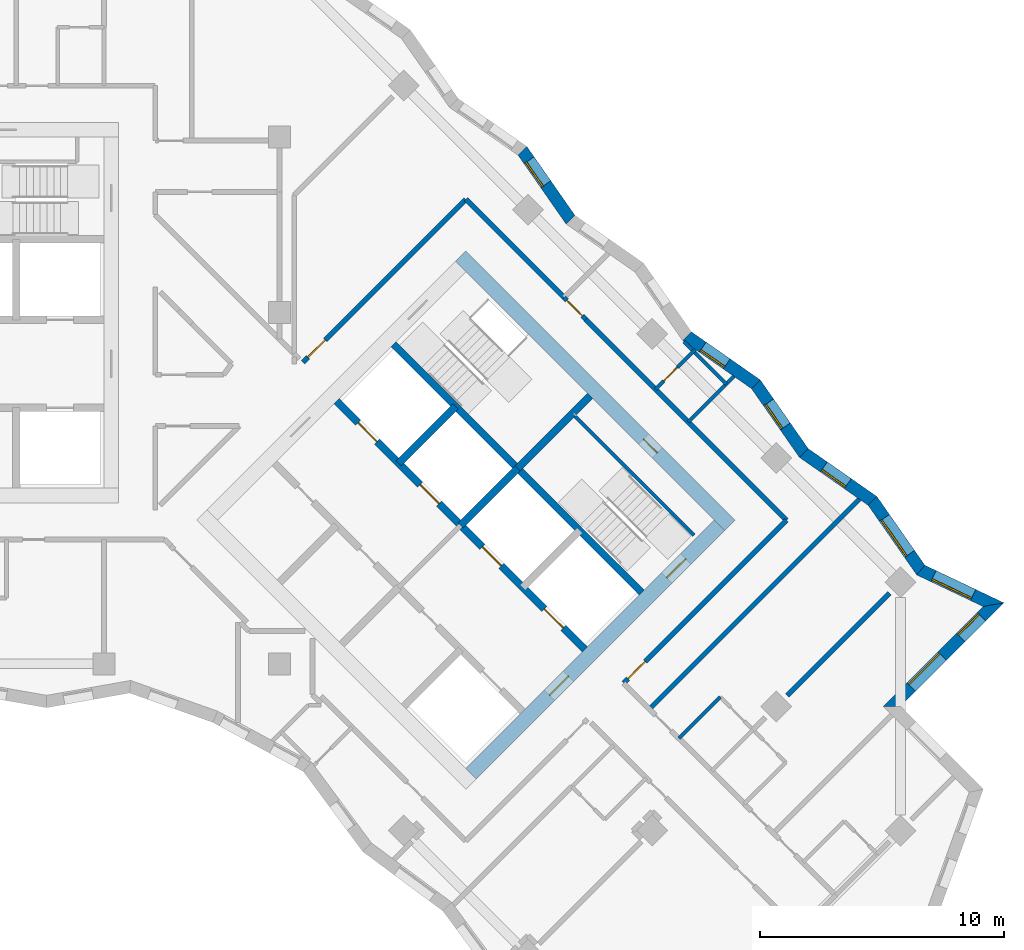
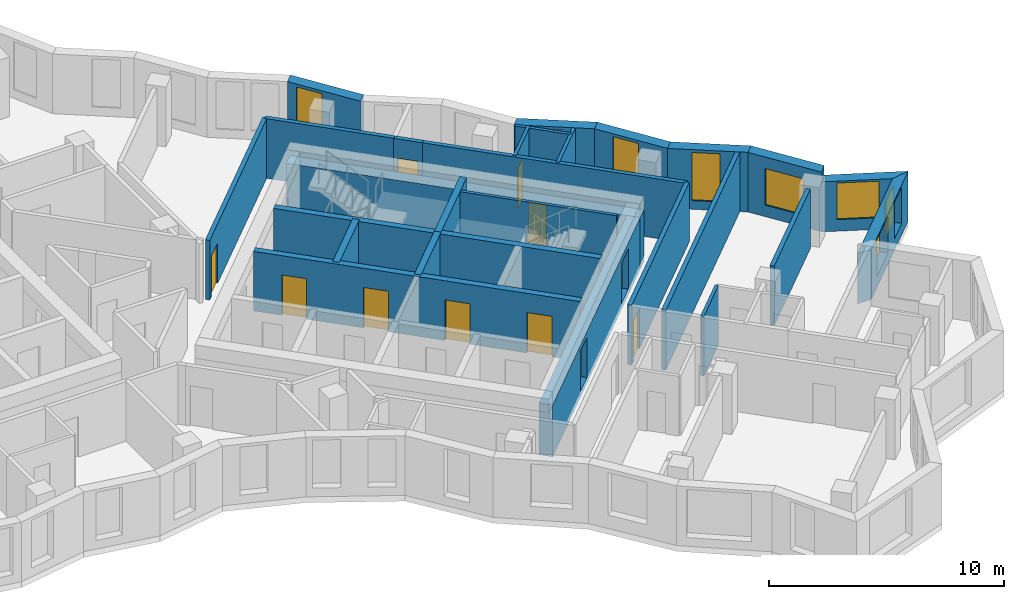
# One storey, part 9 of 12: 27 walls, 11 doors, 8 windows, 19 openings.
"""IFC4 building model written with IfcOpenShell, lengths in metres."""

from ifc_helpers import new_model, si_unit, direction, frame, frame_2d, origin, place, context, subcontext, project, spatial, polyline, rectangle, outline, extrude, material, layer, layer_set, type_object, element, fill, save


model = new_model("IFC4")

# Units and contexts
model_context = context("Model", 3, precision=1e-05, world=origin(), true_north=direction((0.0, 1.0)))
body_context = subcontext(model_context, "Body", "Model", "MODEL_VIEW")
ifc_project = project(units=[si_unit("LENGTHUNIT", "METRE"), si_unit("AREAUNIT", "SQUARE_METRE"), si_unit("VOLUMEUNIT", "CUBIC_METRE"), si_unit("PLANEANGLEUNIT", "RADIAN"), si_unit("MASSUNIT", "GRAM", prefix="KILO")], contexts=[model_context])

# Site, building, storey
site_placement = place(None, origin())
site = spatial("IfcSite", under=ifc_project, at=site_placement, CompositionType="ELEMENT")
building_placement = place(site_placement, origin())
building = spatial("IfcBuilding", under=site, at=building_placement, Name="Windrow Commons", CompositionType="ELEMENT")
storey_placement = place(building_placement, frame((0.0, 0.0, 169.4)))
storey = spatial("IfcBuildingStorey", under=building, at=storey_placement, Name="L46", CompositionType="ELEMENT", Elevation=169.4)

# Wall, openings, windows
ifc_material_1 = material(Name="Brick masonry, red clay brick", Category="masonry")
ifc_layer_1 = layer(ifc_material_1, 0.5)
ifc_layer_set_1 = layer_set([ifc_layer_1], Name="Brick facade wall 500")
wall_type_1 = type_object("IfcWallType", Name="Brick facade wall 500", PredefinedType="SOLIDWALL", material=ifc_layer_set_1)
wall_1_placement = place(storey_placement, frame((104.3022, 41.453, 0.0), z_axis=(0.0, 0.0, 1.0), x_axis=(0.7071237335, 0.7070898285, 0.0)))
wall_1 = element("IfcWall", 1, at=wall_1_placement, inside=storey, type_object=wall_type_1, Name="Brick facade wall L46 6", PredefinedType="SOLIDWALL", context=body_context, shape_type="SweptSolid", body=[
    extrude(outline(polyline([(0.25, -0.25), (6.2531, -0.25), (5.5446, 0.25), (-0.25, 0.25), (0.25, -0.25)])), origin(), (0.0, 0.0, 1.0), 2.6),
])
opening_1_placement = place(wall_1_placement, frame((1.125, 0.0, 0.6)))
opening_1 = element("IfcOpeningElement", 2, at=opening_1_placement, cuts=wall_1, Name="Opening W1L", PredefinedType="OPENING", context=body_context, shape_type="SweptSolid", body=[
    extrude(rectangle(XDim=1.8, YDim=1.9, at=frame_2d((0.9, 0.95))), frame((0.0, 0.26, 0.0), z_axis=(0.0, -1.0, 0.0), x_axis=(1.0, 0.0, 0.0)), (0.0, 0.0, 1.0), 0.52),
])
opening_2_placement = place(wall_1_placement, frame((3.9973, 0.0, 0.6)))
opening_2 = element("IfcOpeningElement", 3, at=opening_2_placement, cuts=wall_1, Name="Opening W7G", PredefinedType="OPENING", context=body_context, shape_type="SweptSolid", body=[
    extrude(rectangle(XDim=1.2, YDim=1.9, at=frame_2d((0.6, 0.95))), frame((0.0, 0.26, 0.0), z_axis=(0.0, -1.0, 0.0), x_axis=(1.0, 0.0, 0.0)), (0.0, 0.0, 1.0), 0.52),
])
ifc_material_2 = material(Name="Clear float glass in anodised aluminium frame", Category="aluminium")
window_type_1 = type_object("IfcWindowType", Name="Window W1L bedroom 1800x1900", PartitioningType="SINGLE_PANEL", PredefinedType="WINDOW", material=ifc_material_2)
window_1_placement = place(opening_1_placement, origin())
window_1 = element("IfcWindow", 4, at=window_1_placement, inside=storey, type_object=window_type_1, Name="Window L46 6.1", OverallHeight=1.9, OverallWidth=1.8, PartitioningType="SINGLE_PANEL", PredefinedType="WINDOW", context=body_context, shape_type="SweptSolid", body=[
    extrude(rectangle(XDim=1.8, YDim=1.9, at=frame_2d((0.9, 0.95))), frame((0.0, 0.18, 0.0), z_axis=(0.0, -1.0, 0.0), x_axis=(1.0, 0.0, 0.0)), (0.0, 0.0, 1.0), 0.06),
])
fill(opening_1, window_1)
ifc_material_3 = material(Name="Clear float glass in anodised aluminium frame", Category="aluminium")
window_type_2 = type_object("IfcWindowType", Name="Window W7 notch 1200x1900", PartitioningType="SINGLE_PANEL", PredefinedType="WINDOW", material=ifc_material_3)
window_2_placement = place(opening_2_placement, origin())
window_2 = element("IfcWindow", 5, at=window_2_placement, inside=storey, type_object=window_type_2, Name="Window L46 6.2", OverallHeight=1.9, OverallWidth=1.2, PartitioningType="SINGLE_PANEL", PredefinedType="WINDOW", context=body_context, shape_type="SweptSolid", body=[
    extrude(rectangle(XDim=1.2, YDim=1.9, at=frame_2d((0.6, 0.95))), frame((0.0, 0.18, 0.0), z_axis=(0.0, -1.0, 0.0), x_axis=(1.0, 0.0, 0.0)), (0.0, 0.0, 1.0), 0.06),
])
fill(opening_2, window_2)

# Wall, opening, window
wall_2_placement = place(storey_placement, frame((108.4734, 45.624, 0.0), z_axis=(0.0, 0.0, 1.0), x_axis=(-0.9031580638, 0.4293081781, 0.0)))
wall_2 = element("IfcWall", 6, at=wall_2_placement, inside=storey, type_object=wall_type_1, Name="Brick facade wall L46 7", PredefinedType="SOLIDWALL", context=body_context, shape_type="SweptSolid", body=[
    extrude(outline(polyline([(-0.3542, -0.25), (3.2362, -0.25), (3.3687, 0.25), (0.3542, 0.25), (-0.3542, -0.25)])), origin(), (0.0, 0.0, 1.0), 2.6),
])
opening_3_placement = place(wall_2_placement, frame((0.9284, 0.0, 0.6)))
opening_3 = element("IfcOpeningElement", 7, at=opening_3_placement, cuts=wall_2, Name="Opening W1L", PredefinedType="OPENING", context=body_context, shape_type="SweptSolid", body=[
    extrude(rectangle(XDim=1.8, YDim=1.9, at=frame_2d((0.9, 0.95))), frame((0.0, 0.26, 0.0), z_axis=(0.0, -1.0, 0.0), x_axis=(1.0, 0.0, 0.0)), (0.0, 0.0, 1.0), 0.52),
])
window_3_placement = place(opening_3_placement, origin())
window_3 = element("IfcWindow", 8, at=window_3_placement, inside=storey, type_object=window_type_1, Name="Window L46 7.1", OverallHeight=1.9, OverallWidth=1.8, PartitioningType="SINGLE_PANEL", PredefinedType="WINDOW", context=body_context, shape_type="SweptSolid", body=[
    extrude(rectangle(XDim=1.8, YDim=1.9, at=frame_2d((0.9, 0.95))), frame((0.0, 0.18, 0.0), z_axis=(0.0, -1.0, 0.0), x_axis=(1.0, 0.0, 0.0)), (0.0, 0.0, 1.0), 0.06),
])
fill(opening_3, window_3)

wall_3_placement = place(storey_placement, frame((105.4907, 47.0418, 0.0), z_axis=(0.0, 0.0, 1.0), x_axis=(-0.5720427166, 0.8202238295, 0.0)))
wall_3 = element("IfcWall", 9, at=wall_3_placement, inside=storey, type_object=wall_type_1, Name="Brick facade wall L46 8", PredefinedType="SOLIDWALL", context=body_context, shape_type="SweptSolid", body=[
    extrude(outline(polyline([(0.0662, -0.25), (3.5025, -0.25), (3.4134, 0.25), (-0.0662, 0.25), (0.0662, -0.25)])), origin(), (0.0, 0.0, 1.0), 3.1),
])
opening_4_placement = place(wall_3_placement, frame((0.8067, 0.0, 0.6)))
opening_4 = element("IfcOpeningElement", 10, at=opening_4_placement, cuts=wall_3, Name="Opening W1L", PredefinedType="OPENING", context=body_context, shape_type="SweptSolid", body=[
    extrude(rectangle(XDim=1.8, YDim=1.9, at=frame_2d((0.9, 0.95))), frame((0.0, 0.26, 0.0), z_axis=(0.0, -1.0, 0.0), x_axis=(1.0, 0.0, 0.0)), (0.0, 0.0, 1.0), 0.52),
])
window_4_placement = place(opening_4_placement, origin())
window_4 = element("IfcWindow", 11, at=window_4_placement, inside=storey, type_object=window_type_1, Name="Window L46 8.1", OverallHeight=1.9, OverallWidth=1.8, PartitioningType="SINGLE_PANEL", PredefinedType="WINDOW", context=body_context, shape_type="SweptSolid", body=[
    extrude(rectangle(XDim=1.8, YDim=1.9, at=frame_2d((0.9, 0.95))), frame((0.0, 0.18, 0.0), z_axis=(0.0, -1.0, 0.0), x_axis=(1.0, 0.0, 0.0)), (0.0, 0.0, 1.0), 0.06),
])
fill(opening_4, window_4)

wall_4_placement = place(storey_placement, frame((103.5126, 49.8781, 0.0), z_axis=(0.0, 0.0, 1.0), x_axis=(-0.8202219009, 0.5720454818, 0.0)))
wall_4 = element("IfcWall", 12, at=wall_4_placement, inside=storey, type_object=wall_type_1, Name="Brick facade wall L46 9", PredefinedType="SOLIDWALL", context=body_context, shape_type="SweptSolid", body=[
    extrude(outline(polyline([(-0.0446, -0.25), (3.3917, -0.25), (3.4808, 0.25), (0.0446, 0.25), (-0.0446, -0.25)])), origin(), (0.0, 0.0, 1.0), 3.1),
])
opening_5_placement = place(wall_4_placement, frame((1.2386, 0.0, 0.45)))
opening_5 = element("IfcOpeningElement", 13, at=opening_5_placement, cuts=wall_4, Name="Opening W7E", PredefinedType="OPENING", context=body_context, shape_type="SweptSolid", body=[
    extrude(rectangle(XDim=1.2, YDim=2.5, at=frame_2d((0.6, 1.25))), frame((0.0, 0.26, 0.0), z_axis=(0.0, -1.0, 0.0), x_axis=(1.0, 0.0, 0.0)), (0.0, 0.0, 1.0), 0.52),
])
ifc_material_4 = material(Name="Clear float glass in anodised aluminium frame", Category="aluminium")
window_type_3 = type_object("IfcWindowType", Name="Window W7 notch 1200x2500", PartitioningType="SINGLE_PANEL", PredefinedType="WINDOW", material=ifc_material_4)
window_5_placement = place(opening_5_placement, origin())
window_5 = element("IfcWindow", 14, at=window_5_placement, inside=storey, type_object=window_type_3, Name="Window L46 9.1", OverallHeight=2.5, OverallWidth=1.2, PartitioningType="SINGLE_PANEL", PredefinedType="WINDOW", context=body_context, shape_type="SweptSolid", body=[
    extrude(rectangle(XDim=1.2, YDim=2.5, at=frame_2d((0.6, 1.25))), frame((0.0, 0.18, 0.0), z_axis=(0.0, -1.0, 0.0), x_axis=(1.0, 0.0, 0.0)), (0.0, 0.0, 1.0), 0.06),
])
fill(opening_5, window_5)

wall_5_placement = place(storey_placement, frame((100.6941, 51.8438, 0.0), z_axis=(0.0, 0.0, 1.0), x_axis=(-0.5720454818, 0.8202219009, 0.0)))
wall_5 = element("IfcWall", 15, at=wall_5_placement, inside=storey, type_object=wall_type_1, Name="Brick facade wall L46 10", PredefinedType="SOLIDWALL", context=body_context, shape_type="SweptSolid", body=[
    extrude(outline(polyline([(0.0446, -0.25), (3.4808, -0.25), (3.3917, 0.25), (-0.0446, 0.25), (0.0446, -0.25)])), origin(), (0.0, 0.0, 1.0), 3.1),
])
opening_6_placement = place(wall_5_placement, frame((1.3266, 0.0, 0.45)))
opening_6 = element("IfcOpeningElement", 16, at=opening_6_placement, cuts=wall_5, Name="Opening W7E", PredefinedType="OPENING", context=body_context, shape_type="SweptSolid", body=[
    extrude(rectangle(XDim=1.2, YDim=2.5, at=frame_2d((0.6, 1.25))), frame((0.0, 0.26, 0.0), z_axis=(0.0, -1.0, 0.0), x_axis=(1.0, 0.0, 0.0)), (0.0, 0.0, 1.0), 0.52),
])
window_6_placement = place(opening_6_placement, origin())
window_6 = element("IfcWindow", 17, at=window_6_placement, inside=storey, type_object=window_type_3, Name="Window L46 10.1", OverallHeight=2.5, OverallWidth=1.2, PartitioningType="SINGLE_PANEL", PredefinedType="WINDOW", context=body_context, shape_type="SweptSolid", body=[
    extrude(rectangle(XDim=1.2, YDim=2.5, at=frame_2d((0.6, 1.25))), frame((0.0, 0.18, 0.0), z_axis=(0.0, -1.0, 0.0), x_axis=(1.0, 0.0, 0.0)), (0.0, 0.0, 1.0), 0.06),
])
fill(opening_6, window_6)

wall_6_placement = place(storey_placement, frame((98.7284, 54.6623, 0.0), z_axis=(0.0, 0.0, 1.0), x_axis=(-0.8202082464, 0.5720650597, 0.0)))
wall_6 = element("IfcWall", 18, at=wall_6_placement, inside=storey, type_object=wall_type_1, Name="Brick facade wall L46 11", PredefinedType="SOLIDWALL", context=body_context, shape_type="SweptSolid", body=[
    extrude(outline(polyline([(-0.0446, -0.25), (3.3917, -0.25), (3.4808, 0.25), (0.0446, 0.25), (-0.0446, -0.25)])), origin(), (0.0, 0.0, 1.0), 3.1),
])
opening_7_placement = place(wall_6_placement, frame((1.4591, 0.0, 0.45)))
opening_7 = element("IfcOpeningElement", 19, at=opening_7_placement, cuts=wall_6, Name="Opening W7E", PredefinedType="OPENING", context=body_context, shape_type="SweptSolid", body=[
    extrude(rectangle(XDim=1.2, YDim=2.5, at=frame_2d((0.6, 1.25))), frame((0.0, 0.26, 0.0), z_axis=(0.0, -1.0, 0.0), x_axis=(1.0, 0.0, 0.0)), (0.0, 0.0, 1.0), 0.52),
])
window_7_placement = place(opening_7_placement, origin())
window_7 = element("IfcWindow", 20, at=window_7_placement, inside=storey, type_object=window_type_3, Name="Window L46 11.1", OverallHeight=2.5, OverallWidth=1.2, PartitioningType="SINGLE_PANEL", PredefinedType="WINDOW", context=body_context, shape_type="SweptSolid", body=[
    extrude(rectangle(XDim=1.2, YDim=2.5, at=frame_2d((0.6, 1.25))), frame((0.0, 0.18, 0.0), z_axis=(0.0, -1.0, 0.0), x_axis=(1.0, 0.0, 0.0)), (0.0, 0.0, 1.0), 0.06),
])
fill(opening_7, window_7)

wall_7_placement = place(storey_placement, frame((91.1257, 61.4123, 0.0), z_axis=(0.0, 0.0, 1.0), x_axis=(-0.5720454818, 0.8202219009, 0.0)))
wall_7 = element("IfcWall", 21, at=wall_7_placement, inside=storey, type_object=wall_type_1, Name="Brick facade wall L46 14", PredefinedType="SOLIDWALL", context=body_context, shape_type="SweptSolid", body=[
    extrude(outline(polyline([(0.0446, -0.25), (3.4808, -0.25), (3.3917, 0.25), (-0.0446, 0.25), (0.0446, -0.25)])), origin(), (0.0, 0.0, 1.0), 3.1),
])
opening_8_placement = place(wall_7_placement, frame((1.7675, 0.0, 0.45)))
opening_8 = element("IfcOpeningElement", 22, at=opening_8_placement, cuts=wall_7, Name="Opening W7E", PredefinedType="OPENING", context=body_context, shape_type="SweptSolid", body=[
    extrude(rectangle(XDim=1.2, YDim=2.5, at=frame_2d((0.6, 1.25))), frame((0.0, 0.26, 0.0), z_axis=(0.0, -1.0, 0.0), x_axis=(1.0, 0.0, 0.0)), (0.0, 0.0, 1.0), 0.52),
])
window_8_placement = place(opening_8_placement, origin())
window_8 = element("IfcWindow", 23, at=window_8_placement, inside=storey, type_object=window_type_3, Name="Window L46 14.1", OverallHeight=2.5, OverallWidth=1.2, PartitioningType="SINGLE_PANEL", PredefinedType="WINDOW", context=body_context, shape_type="SweptSolid", body=[
    extrude(rectangle(XDim=1.2, YDim=2.5, at=frame_2d((0.6, 1.25))), frame((0.0, 0.18, 0.0), z_axis=(0.0, -1.0, 0.0), x_axis=(1.0, 0.0, 0.0)), (0.0, 0.0, 1.0), 0.06),
])
fill(opening_8, window_8)

# Wall
ifc_material_5 = material(Name="Blockwork partition", Category="masonry")
ifc_layer_2 = layer(ifc_material_5, 0.2)
ifc_layer_set_2 = layer_set([ifc_layer_2], Name="IW-CORRIDOR-200")
wall_type_2 = type_object("IfcWallType", Name="IW-CORRIDOR-200", PredefinedType="PARTITIONING", material=ifc_layer_set_2)
wall_8_placement = place(storey_placement, frame((91.7551, 57.3171, 0.0), z_axis=(0.0, 0.0, 1.0), x_axis=(0.7071067812, -0.7071067812, 0.0)))
element("IfcWall", 24, at=wall_8_placement, inside=storey, type_object=wall_type_2, Name="W-L46-W007", PredefinedType="PARTITIONING", context=body_context, shape_type="SweptSolid", body=[
    extrude(rectangle(XDim=11.639, YDim=0.2, at=frame_2d((5.8195, 0.0))), origin(), (0.0, 0.0, 1.0), 3.1),
])

# Wall, opening, door
wall_9_placement = place(storey_placement, frame((80.1536, 55.5604, 0.0), z_axis=(0.0, 0.0, 1.0), x_axis=(0.7071067812, 0.7071067812, 0.0)))
wall_9 = element("IfcWall", 25, at=wall_9_placement, inside=storey, type_object=wall_type_2, Name="W-L46-W010", PredefinedType="PARTITIONING", context=body_context, shape_type="SweptSolid", body=[
    extrude(rectangle(XDim=9.4498, YDim=0.2, at=frame_2d((4.7249, 0.0))), origin(), (0.0, 0.0, 1.0), 3.1),
])
opening_9_placement = place(wall_9_placement, frame((0.2916, 0.0, 0.0)))
opening_9 = element("IfcOpeningElement", 26, at=opening_9_placement, cuts=wall_9, Name="Opening D310F", PredefinedType="OPENING", context=body_context, shape_type="SweptSolid", body=[
    extrude(rectangle(XDim=1.0, YDim=2.1, at=frame_2d((0.5, 1.05))), frame((0.0, 0.11, 0.0), z_axis=(0.0, -1.0, 0.0), x_axis=(1.0, 0.0, 0.0)), (0.0, 0.0, 1.0), 0.22),
])
ifc_material_6 = material(Name="Timber door leaf", Category="wood")
door_type_1 = type_object("IfcDoorType", Name="DT-AMENITY-1000", OperationType="SINGLE_SWING_LEFT", PredefinedType="DOOR", material=ifc_material_6)
door_1_placement = place(opening_9_placement, origin())
door_1 = element("IfcDoor", 27, at=door_1_placement, inside=storey, type_object=door_type_1, Name="D-L46-D041", OperationType="SINGLE_SWING_LEFT", OverallHeight=2.1, OverallWidth=1.0, PredefinedType="DOOR", context=body_context, shape_type="SweptSolid", body=[
    extrude(rectangle(XDim=1.0, YDim=2.1, at=frame_2d((0.5, 1.05))), frame((0.0, 0.025, 0.0), z_axis=(0.0, -1.0, 0.0), x_axis=(1.0, 0.0, 0.0)), (0.0, 0.0, 1.0), 0.05),
])
fill(opening_9, door_1)

wall_10_placement = place(storey_placement, frame((93.3058, 42.4082, 0.0), z_axis=(0.0, 0.0, 1.0), x_axis=(0.7071067812, 0.7071067812, 0.0)))
wall_10 = element("IfcWall", 28, at=wall_10_placement, inside=storey, type_object=wall_type_2, Name="W-L46-W011", PredefinedType="PARTITIONING", context=body_context, shape_type="SweptSolid", body=[
    extrude(rectangle(XDim=9.4498, YDim=0.2, at=frame_2d((4.7249, 0.0))), origin(), (0.0, 0.0, 1.0), 3.1),
])
opening_10_placement = place(wall_10_placement, frame((0.2532, 0.0, 0.0)))
opening_10 = element("IfcOpeningElement", 29, at=opening_10_placement, cuts=wall_10, Name="Opening D310F", PredefinedType="OPENING", context=body_context, shape_type="SweptSolid", body=[
    extrude(rectangle(XDim=1.0, YDim=2.1, at=frame_2d((0.5, 1.05))), frame((0.0, 0.11, 0.0), z_axis=(0.0, -1.0, 0.0), x_axis=(1.0, 0.0, 0.0)), (0.0, 0.0, 1.0), 0.22),
])
door_2_placement = place(opening_10_placement, origin())
door_2 = element("IfcDoor", 30, at=door_2_placement, inside=storey, type_object=door_type_1, Name="D-L46-D042", OperationType="SINGLE_SWING_RIGHT", OverallHeight=2.1, OverallWidth=1.0, PredefinedType="DOOR", context=body_context, shape_type="SweptSolid", body=[
    extrude(rectangle(XDim=1.0, YDim=2.1, at=frame_2d((0.5, 1.05))), frame((0.0, 0.025, 0.0), z_axis=(0.0, -1.0, 0.0), x_axis=(1.0, 0.0, 0.0)), (0.0, 0.0, 1.0), 0.05),
])
fill(opening_10, door_2)

# Wall
wall_11_placement = place(storey_placement, frame((86.8412, 62.2452, 0.0), z_axis=(0.0, 0.0, 1.0), x_axis=(0.7071067812, -0.7071067812, 0.0)))
element("IfcWall", 31, at=wall_11_placement, inside=storey, type_object=wall_type_2, Name="W-L46-W033", PredefinedType="PARTITIONING", context=body_context, shape_type="SweptSolid", body=[
    extrude(rectangle(XDim=5.6993, YDim=0.2, at=frame_2d((2.8497, 0.0))), origin(), (0.0, 0.0, 1.0), 3.1),
])

# Wall, opening, door
wall_12_placement = place(storey_placement, frame((90.8671, 58.2111, 0.0), z_axis=(0.0, 0.0, 1.0), x_axis=(0.706312726, -0.7078999456, 0.0)))
wall_12 = element("IfcWall", 32, at=wall_12_placement, inside=storey, type_object=wall_type_2, Name="W-L46-W129", PredefinedType="PARTITIONING", context=body_context, shape_type="SweptSolid", body=[
    extrude(rectangle(XDim=1.2601, YDim=0.2, at=frame_2d((0.63, 0.0))), origin(), (0.0, 0.0, 1.0), 3.1),
])
opening_11_placement = place(wall_12_placement, frame((0.1624, 0.0, 0.0)))
opening_11 = element("IfcOpeningElement", 33, at=opening_11_placement, cuts=wall_12, Name="Opening D109S", PredefinedType="OPENING", context=body_context, shape_type="SweptSolid", body=[
    extrude(rectangle(XDim=0.9, YDim=2.1, at=frame_2d((0.45, 1.05))), frame((0.0, 0.11, 0.0), z_axis=(0.0, -1.0, 0.0), x_axis=(1.0, 0.0, 0.0)), (0.0, 0.0, 1.0), 0.22),
])
ifc_material_7 = material(Name="Timber door leaf", Category="wood")
door_type_2 = type_object("IfcDoorType", Name="DT-BEDROOM-900", OperationType="SINGLE_SWING_LEFT", PredefinedType="DOOR", material=ifc_material_7)
door_3_placement = place(opening_11_placement, origin())
door_3 = element("IfcDoor", 34, at=door_3_placement, inside=storey, type_object=door_type_2, Name="D-L46-D047", OperationType="SINGLE_SWING_RIGHT", OverallHeight=2.1, OverallWidth=0.9, PredefinedType="DOOR", context=body_context, shape_type="SweptSolid", body=[
    extrude(rectangle(XDim=0.9, YDim=2.1, at=frame_2d((0.45, 1.05))), frame((0.0, 0.025, 0.0), z_axis=(0.0, -1.0, 0.0), x_axis=(1.0, 0.0, 0.0)), (0.0, 0.0, 1.0), 0.05),
])
fill(opening_11, door_3)

# Walls
ifc_material_8 = material(Name="Blockwork partition", Category="masonry")
ifc_layer_3 = layer(ifc_material_8, 0.15)
ifc_layer_set_3 = layer_set([ifc_layer_3], Name="IW-ENSUITE-150")
wall_type_3 = type_object("IfcWallType", Name="IW-ENSUITE-150", PredefinedType="PARTITIONING", material=ifc_layer_set_3)
wall_13_placement = place(storey_placement, frame((95.9573, 53.1207, 0.0), z_axis=(0.0, 0.0, 1.0), x_axis=(0.7070878465, 0.7071257154, 0.0)))
element("IfcWall", 35, at=wall_13_placement, inside=storey, type_object=wall_type_3, Name="W-L46-W064", PredefinedType="PARTITIONING", context=body_context, shape_type="SweptSolid", body=[
    extrude(rectangle(XDim=2.6407, YDim=0.15, at=frame_2d((1.3203, 0.0))), origin(), (0.0, 0.0, 1.0), 3.1),
])
wall_14_placement = place(storey_placement, frame((95.7812, 56.4024, 0.0), z_axis=(0.0, 0.0, 1.0), x_axis=(0.7071067812, -0.7071067812, 0.0)))
element("IfcWall", 36, at=wall_14_placement, inside=storey, type_object=wall_type_3, Name="W-L46-W068", PredefinedType="PARTITIONING", context=body_context, shape_type="SweptSolid", body=[
    extrude(rectangle(XDim=2.446, YDim=0.15, at=frame_2d((1.223, 0.0))), origin(), (0.0, 0.0, 1.0), 3.1),
])
wall_15_placement = place(storey_placement, frame((95.571, 40.143, 0.0), z_axis=(0.0, 0.0, 1.0), x_axis=(0.706689978, 0.7075233388, 0.0)))
element("IfcWall", 37, at=wall_15_placement, inside=storey, type_object=wall_type_3, Name="W-L46-W093", PredefinedType="PARTITIONING", context=body_context, shape_type="SweptSolid", body=[
    extrude(rectangle(XDim=2.3999, YDim=0.15, at=frame_2d((1.2, 0.0))), origin(), (0.0, 0.0, 1.0), 3.1),
])

# Wall, opening, door
wall_16_placement = place(storey_placement, frame((94.6138, 54.4642, 0.0), z_axis=(0.0, 0.0, 1.0), x_axis=(0.7070850605, 0.7071285012, 0.0)))
wall_16 = element("IfcWall", 38, at=wall_16_placement, inside=storey, type_object=wall_type_3, Name="W-L46-W102", PredefinedType="PARTITIONING", context=body_context, shape_type="SweptSolid", body=[
    extrude(rectangle(XDim=2.302, YDim=0.15, at=frame_2d((1.151, 0.0))), origin(), (0.0, 0.0, 1.0), 3.1),
])
opening_12_placement = place(wall_16_placement, frame((0.4662, 0.0, 0.0)))
opening_12 = element("IfcOpeningElement", 39, at=opening_12_placement, cuts=wall_16, Name="Opening D208N", PredefinedType="OPENING", context=body_context, shape_type="SweptSolid", body=[
    extrude(rectangle(XDim=0.8, YDim=2.1, at=frame_2d((0.4, 1.05))), frame((0.0, 0.085, 0.0), z_axis=(0.0, -1.0, 0.0), x_axis=(1.0, 0.0, 0.0)), (0.0, 0.0, 1.0), 0.17),
])
ifc_material_9 = material(Name="Timber door leaf", Category="wood")
door_type_3 = type_object("IfcDoorType", Name="DT-ENSUITE-800", OperationType="SINGLE_SWING_LEFT", PredefinedType="DOOR", material=ifc_material_9)
door_4_placement = place(opening_12_placement, origin())
door_4 = element("IfcDoor", 40, at=door_4_placement, inside=storey, type_object=door_type_3, Name="D-L46-D048", OperationType="SINGLE_SWING_RIGHT", OverallHeight=2.1, OverallWidth=0.8, PredefinedType="DOOR", context=body_context, shape_type="SweptSolid", body=[
    extrude(rectangle(XDim=0.8, YDim=2.1, at=frame_2d((0.4, 1.05))), frame((0.0, 0.025, 0.0), z_axis=(0.0, -1.0, 0.0), x_axis=(1.0, 0.0, 0.0)), (0.0, 0.0, 1.0), 0.05),
])
fill(opening_12, door_4)

# Walls
ifc_material_10 = material(Name="Blockwork partition", Category="masonry")
ifc_layer_4 = layer(ifc_material_10, 0.2)
ifc_layer_set_4 = layer_set([ifc_layer_4], Name="IW-PARTY-200")
wall_type_4 = type_object("IfcWallType", Name="IW-PARTY-200", PredefinedType="PARTITIONING", material=ifc_layer_set_4)
wall_17_placement = place(storey_placement, frame((94.3664, 41.3476, 0.0), z_axis=(0.0, 0.0, 1.0), x_axis=(0.7071108904, 0.707102672, 0.0)))
element("IfcWall", 41, at=wall_17_placement, inside=storey, type_object=wall_type_4, Name="W-L46-W005", PredefinedType="PARTITIONING", context=body_context, shape_type="SweptSolid", body=[
    extrude(rectangle(XDim=12.1678, YDim=0.2, at=frame_2d((6.0839, 0.0))), origin(), (0.0, 0.0, 1.0), 3.1),
])
wall_18_placement = place(storey_placement, frame((100.0168, 41.9012, 0.0), z_axis=(0.0, 0.0, 1.0), x_axis=(0.7072754814, 0.7069380408, 0.0)))
element("IfcWall", 42, at=wall_18_placement, inside=storey, type_object=wall_type_4, Name="W-L46-W028", PredefinedType="PARTITIONING", context=body_context, shape_type="SweptSolid", body=[
    extrude(rectangle(XDim=5.927, YDim=0.2, at=frame_2d((2.9635, 0.0))), origin(), (0.0, 0.0, 1.0), 3.1),
])

# Wall, opening, door
ifc_material_11 = material(Name="Concrete C50/60", Category="concrete")
ifc_layer_5 = layer(ifc_material_11, 0.6)
ifc_layer_set_5 = layer_set([ifc_layer_5], Name="RC CORE WALL 600 C50/60")
wall_type_5 = type_object("IfcWallType", Name="RC CORE WALL 600 C50/60", PredefinedType="SHEAR", material=ifc_layer_set_5)
wall_19_placement = place(storey_placement, frame((86.6246, 59.9085, -0.3), z_axis=(0.0, 0.0, 1.0), x_axis=(0.7071067812, -0.7071067812, 0.0)))
wall_19 = element("IfcWall", 43, at=wall_19_placement, inside=storey, type_object=wall_type_5, Name="Core B wall outer-N", PredefinedType="SHEAR", context=body_context, shape_type="SweptSolid", body=[
    extrude(rectangle(XDim=15.6, YDim=0.6, at=frame_2d((7.8, 0.0))), origin(), (0.0, 0.0, 1.0), 2.7),
])
opening_13_placement = place(wall_19_placement, frame((10.6, 0.0, 0.3)))
opening_13 = element("IfcOpeningElement", 44, at=opening_13_placement, cuts=wall_19, Name="Opening D9", PredefinedType="OPENING", context=body_context, shape_type="SweptSolid", body=[
    extrude(rectangle(XDim=0.8, YDim=2.1, at=frame_2d((0.4, 1.05))), frame((0.0, 0.31, 0.0), z_axis=(0.0, -1.0, 0.0), x_axis=(1.0, 0.0, 0.0)), (0.0, 0.0, 1.0), 0.62),
])
ifc_material_12 = material(Name="Steel fire door leaf", Category="steel")
door_type_4 = type_object("IfcDoorType", Name="Riser access door 800", OperationType="SINGLE_SWING_LEFT", PredefinedType="DOOR", material=ifc_material_12)
door_5_placement = place(opening_13_placement, origin())
door_5 = element("IfcDoor", 45, at=door_5_placement, inside=storey, type_object=door_type_4, Name="Riser access door", OperationType="SINGLE_SWING_RIGHT", OverallHeight=2.1, OverallWidth=0.8, PredefinedType="DOOR", context=body_context, shape_type="SweptSolid", body=[
    extrude(rectangle(XDim=0.8, YDim=2.1, at=frame_2d((0.4, 1.05))), frame((0.0, 0.025, 0.0), z_axis=(0.0, -1.0, 0.0), x_axis=(1.0, 0.0, 0.0)), (0.0, 0.0, 1.0), 0.05),
])
fill(opening_13, door_5)

# Wall, openings, doors
wall_20_placement = place(storey_placement, frame((87.0489, 38.6953, -0.3), z_axis=(0.0, 0.0, 1.0), x_axis=(0.7071067812, 0.7071067812, 0.0)))
wall_20 = element("IfcWall", 46, at=wall_20_placement, inside=storey, type_object=wall_type_5, Name="Core B wall outer-E", PredefinedType="SHEAR", context=body_context, shape_type="SweptSolid", body=[
    extrude(rectangle(XDim=14.3999, YDim=0.6, at=frame_2d((7.2, 0.0))), origin(), (0.0, 0.0, 1.0), 2.7),
])
opening_14_placement = place(wall_20_placement, frame((4.55, 0.0, 0.3)))
opening_14 = element("IfcOpeningElement", 47, at=opening_14_placement, cuts=wall_20, Name="Opening D6", PredefinedType="OPENING", context=body_context, shape_type="SweptSolid", body=[
    extrude(rectangle(XDim=1.1, YDim=2.1, at=frame_2d((0.55, 1.05))), frame((0.0, 0.31, 0.0), z_axis=(0.0, -1.0, 0.0), x_axis=(1.0, 0.0, 0.0)), (0.0, 0.0, 1.0), 0.62),
])
opening_15_placement = place(wall_20_placement, frame((11.35, 0.0, 0.3)))
opening_15 = element("IfcOpeningElement", 48, at=opening_15_placement, cuts=wall_20, Name="Opening D7", PredefinedType="OPENING", context=body_context, shape_type="SweptSolid", body=[
    extrude(rectangle(XDim=1.1, YDim=2.1, at=frame_2d((0.55, 1.05))), frame((0.0, 0.31, 0.0), z_axis=(0.0, -1.0, 0.0), x_axis=(1.0, 0.0, 0.0)), (0.0, 0.0, 1.0), 0.62),
])
ifc_material_13 = material(Name="Steel fire door leaf", Category="steel")
door_type_5 = type_object("IfcDoorType", Name="Core lobby door 1100", OperationType="SINGLE_SWING_LEFT", PredefinedType="DOOR", material=ifc_material_13)
door_6_placement = place(opening_14_placement, origin())
door_6 = element("IfcDoor", 49, at=door_6_placement, inside=storey, type_object=door_type_5, Name="Lift lobby door", OperationType="DOUBLE_DOOR_SINGLE_SWING", OverallHeight=2.1, OverallWidth=1.1, PredefinedType="DOOR", context=body_context, shape_type="SweptSolid", body=[
    extrude(rectangle(XDim=1.1, YDim=2.1, at=frame_2d((0.55, 1.05))), frame((0.0, 0.025, 0.0), z_axis=(0.0, -1.0, 0.0), x_axis=(1.0, 0.0, 0.0)), (0.0, 0.0, 1.0), 0.05),
])
fill(opening_14, door_6)
ifc_material_14 = material(Name="Steel fire door leaf", Category="steel")
door_type_6 = type_object("IfcDoorType", Name="Stair door 1100", OperationType="SINGLE_SWING_LEFT", PredefinedType="DOOR", material=ifc_material_14)
door_7_placement = place(opening_15_placement, origin())
door_7 = element("IfcDoor", 50, at=door_7_placement, inside=storey, type_object=door_type_6, Name="Stair door", OperationType="SINGLE_SWING_RIGHT", OverallHeight=2.1, OverallWidth=1.1, PredefinedType="DOOR", context=body_context, shape_type="SweptSolid", body=[
    extrude(rectangle(XDim=1.1, YDim=2.1, at=frame_2d((0.55, 1.05))), frame((0.0, 0.025, 0.0), z_axis=(0.0, -1.0, 0.0), x_axis=(1.0, 0.0, 0.0)), (0.0, 0.0, 1.0), 0.05),
])
fill(opening_15, door_7)

# Walls
ifc_material_15 = material(Name="Concrete C50/60", Category="concrete")
ifc_layer_6 = layer(ifc_material_15, 0.3)
ifc_layer_set_6 = layer_set([ifc_layer_6], Name="RC SHAFT WALL 300 C50/60")
wall_type_6 = type_object("IfcWallType", Name="RC SHAFT WALL 300 C50/60", PredefinedType="SOLIDWALL", material=ifc_layer_set_6)
wall_21_placement = place(storey_placement, frame((84.079, 51.4232, 0.0), z_axis=(0.0, 0.0, 1.0), x_axis=(0.7071219326, 0.7070916295, 0.0)))
element("IfcWall", 51, at=wall_21_placement, inside=storey, type_object=wall_type_6, Name="Core B wall shaft-N1", PredefinedType="SOLIDWALL", context=body_context, shape_type="SweptSolid", body=[
    extrude(rectangle(XDim=3.3, YDim=0.3, at=frame_2d((1.65, 0.0))), origin(), (0.0, 0.0, 1.0), 3.1),
])
wall_22_placement = place(storey_placement, frame((86.6246, 48.8776, 0.0), z_axis=(0.0, 0.0, 1.0), x_axis=(0.7071067812, 0.7071067812, 0.0)))
element("IfcWall", 52, at=wall_22_placement, inside=storey, type_object=wall_type_6, Name="Core B wall shaft-N2", PredefinedType="SOLIDWALL", context=body_context, shape_type="SweptSolid", body=[
    extrude(rectangle(XDim=3.3001, YDim=0.3, at=frame_2d((1.6501, 0.0))), origin(), (0.0, 0.0, 1.0), 3.1),
])

# Wall, openings, doors
wall_23_placement = place(storey_placement, frame((81.5335, 53.9688, 0.0), z_axis=(0.0, 0.0, 1.0), x_axis=(0.707103309, -0.7071102534, 0.0)))
wall_23 = element("IfcWall", 53, at=wall_23_placement, inside=storey, type_object=wall_type_6, Name="Core B wall lobby-N", PredefinedType="SOLIDWALL", context=body_context, shape_type="SweptSolid", body=[
    extrude(rectangle(XDim=14.4, YDim=0.3, at=frame_2d((7.2, 0.0))), origin(), (0.0, 0.0, 1.0), 3.1),
])
opening_16_placement = place(wall_23_placement, frame((1.25, 0.0, 0.0)))
opening_16 = element("IfcOpeningElement", 54, at=opening_16_placement, cuts=wall_23, Name="Opening LD", PredefinedType="OPENING", context=body_context, shape_type="SweptSolid", body=[
    extrude(rectangle(XDim=1.1, YDim=2.1, at=frame_2d((0.55, 1.05))), frame((0.0, 0.16, 0.0), z_axis=(0.0, -1.0, 0.0), x_axis=(1.0, 0.0, 0.0)), (0.0, 0.0, 1.0), 0.32),
])
opening_17_placement = place(wall_23_placement, frame((4.85, 0.0, 0.0)))
opening_17 = element("IfcOpeningElement", 55, at=opening_17_placement, cuts=wall_23, Name="Opening LD", PredefinedType="OPENING", context=body_context, shape_type="SweptSolid", body=[
    extrude(rectangle(XDim=1.1, YDim=2.1, at=frame_2d((0.55, 1.05))), frame((0.0, 0.16, 0.0), z_axis=(0.0, -1.0, 0.0), x_axis=(1.0, 0.0, 0.0)), (0.0, 0.0, 1.0), 0.32),
])
opening_18_placement = place(wall_23_placement, frame((8.45, 0.0, 0.0)))
opening_18 = element("IfcOpeningElement", 56, at=opening_18_placement, cuts=wall_23, Name="Opening LD", PredefinedType="OPENING", context=body_context, shape_type="SweptSolid", body=[
    extrude(rectangle(XDim=1.1, YDim=2.1, at=frame_2d((0.55, 1.05))), frame((0.0, 0.16, 0.0), z_axis=(0.0, -1.0, 0.0), x_axis=(1.0, 0.0, 0.0)), (0.0, 0.0, 1.0), 0.32),
])
opening_19_placement = place(wall_23_placement, frame((12.05, 0.0, 0.0)))
opening_19 = element("IfcOpeningElement", 57, at=opening_19_placement, cuts=wall_23, Name="Opening LD", PredefinedType="OPENING", context=body_context, shape_type="SweptSolid", body=[
    extrude(rectangle(XDim=1.1, YDim=2.1, at=frame_2d((0.55, 1.05))), frame((0.0, 0.16, 0.0), z_axis=(0.0, -1.0, 0.0), x_axis=(1.0, 0.0, 0.0)), (0.0, 0.0, 1.0), 0.32),
])
ifc_material_16 = material(Name="Stainless steel door leaf", Category="steel")
door_type_7 = type_object("IfcDoorType", Name="Lift landing door 1100", OperationType="SLIDING_TO_LEFT", PredefinedType="DOOR", material=ifc_material_16)
door_8_placement = place(opening_16_placement, origin())
door_8 = element("IfcDoor", 58, at=door_8_placement, inside=storey, type_object=door_type_7, Name="Lift landing door", OperationType="SLIDING_TO_LEFT", OverallHeight=2.1, OverallWidth=1.1, PredefinedType="DOOR", context=body_context, shape_type="SweptSolid", body=[
    extrude(rectangle(XDim=1.1, YDim=2.1, at=frame_2d((0.55, 1.05))), frame((0.0, 0.025, 0.0), z_axis=(0.0, -1.0, 0.0), x_axis=(1.0, 0.0, 0.0)), (0.0, 0.0, 1.0), 0.05),
])
fill(opening_16, door_8)
door_9_placement = place(opening_17_placement, origin())
door_9 = element("IfcDoor", 59, at=door_9_placement, inside=storey, type_object=door_type_7, Name="Lift landing door", OperationType="SLIDING_TO_RIGHT", OverallHeight=2.1, OverallWidth=1.1, PredefinedType="DOOR", context=body_context, shape_type="SweptSolid", body=[
    extrude(rectangle(XDim=1.1, YDim=2.1, at=frame_2d((0.55, 1.05))), frame((0.0, 0.025, 0.0), z_axis=(0.0, -1.0, 0.0), x_axis=(1.0, 0.0, 0.0)), (0.0, 0.0, 1.0), 0.05),
])
fill(opening_17, door_9)
door_10_placement = place(opening_18_placement, origin())
door_10 = element("IfcDoor", 60, at=door_10_placement, inside=storey, type_object=door_type_7, Name="Lift landing door", OperationType="SLIDING_TO_LEFT", OverallHeight=2.1, OverallWidth=1.1, PredefinedType="DOOR", context=body_context, shape_type="SweptSolid", body=[
    extrude(rectangle(XDim=1.1, YDim=2.1, at=frame_2d((0.55, 1.05))), frame((0.0, 0.025, 0.0), z_axis=(0.0, -1.0, 0.0), x_axis=(1.0, 0.0, 0.0)), (0.0, 0.0, 1.0), 0.05),
])
fill(opening_18, door_10)
door_11_placement = place(opening_19_placement, origin())
door_11 = element("IfcDoor", 61, at=door_11_placement, inside=storey, type_object=door_type_7, Name="Lift landing door", OperationType="SLIDING_TO_RIGHT", OverallHeight=2.1, OverallWidth=1.1, PredefinedType="DOOR", context=body_context, shape_type="SweptSolid", body=[
    extrude(rectangle(XDim=1.1, YDim=2.1, at=frame_2d((0.55, 1.05))), frame((0.0, 0.025, 0.0), z_axis=(0.0, -1.0, 0.0), x_axis=(1.0, 0.0, 0.0)), (0.0, 0.0, 1.0), 0.05),
])
fill(opening_19, door_11)

# Walls
for number, where, z_axis, x_axis, name in (
    (62, (83.8669, 56.3022, 0.0), (0.0, 0.0, 1.0), (0.7071137256, -0.7070998367, 0.0), "Core B wall stair-S"),
    (63, (88.9581, 51.2111, 0.0), (0.0, 0.0, 1.0), (0.7070998367, -0.7071137256, 0.0), "Core B wall stair-S2"),
):
    element("IfcWall", number, at=place(storey_placement, frame(where, z_axis=z_axis, x_axis=x_axis)), inside=storey, type_object=wall_type_6, Name=name, PredefinedType="SOLIDWALL", context=body_context, shape_type="SweptSolid", body=[
        extrude(rectangle(XDim=7.2, YDim=0.3, at=frame_2d((3.6, 0.0))), origin(), (0.0, 0.0, 1.0), 3.1),
    ])
wall_24_placement = place(storey_placement, frame((88.9581, 51.2111, 0.0), z_axis=(0.0, 0.0, 1.0), x_axis=(0.7071067812, 0.7071067812, 0.0)))
element("IfcWall", 64, at=wall_24_placement, inside=storey, type_object=wall_type_6, Name="Core B wall stair-mid", PredefinedType="SOLIDWALL", context=body_context, shape_type="SweptSolid", body=[
    extrude(rectangle(XDim=4.1999, YDim=0.3, at=frame_2d((2.1, 0.0))), origin(), (0.0, 0.0, 1.0), 3.1),
])
ifc_material_17 = material(Name="Blockwork partition", Category="masonry")
ifc_layer_7 = layer(ifc_material_17, 0.15)
ifc_layer_set_7 = layer_set([ifc_layer_7], Name="Riser partition 150")
wall_type_7 = type_object("IfcWallType", Name="Riser partition 150", PredefinedType="PARTITIONING", material=ifc_layer_set_7)
wall_25_placement = place(storey_placement, frame((91.3127, 53.3536, 0.0), z_axis=(0.0, 0.0, 1.0), x_axis=(0.7071140275, -0.7070995348, 0.0)))
element("IfcWall", 65, at=wall_25_placement, inside=storey, type_object=wall_type_7, Name="W-core-strip-B-L46", PredefinedType="PARTITIONING", context=body_context, shape_type="SweptSolid", body=[
    extrude(rectangle(XDim=6.9, YDim=0.15, at=frame_2d((3.45, 0.0))), origin(), (0.0, 0.0, 1.0), 3.1),
])

save(model, "model.ifc")
